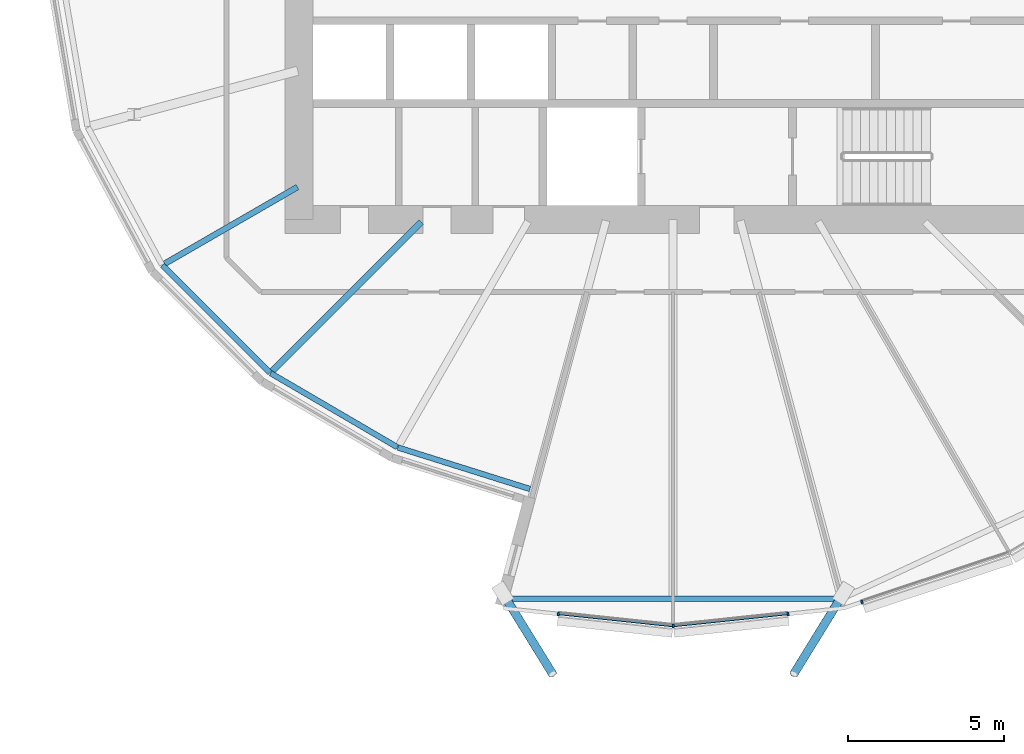
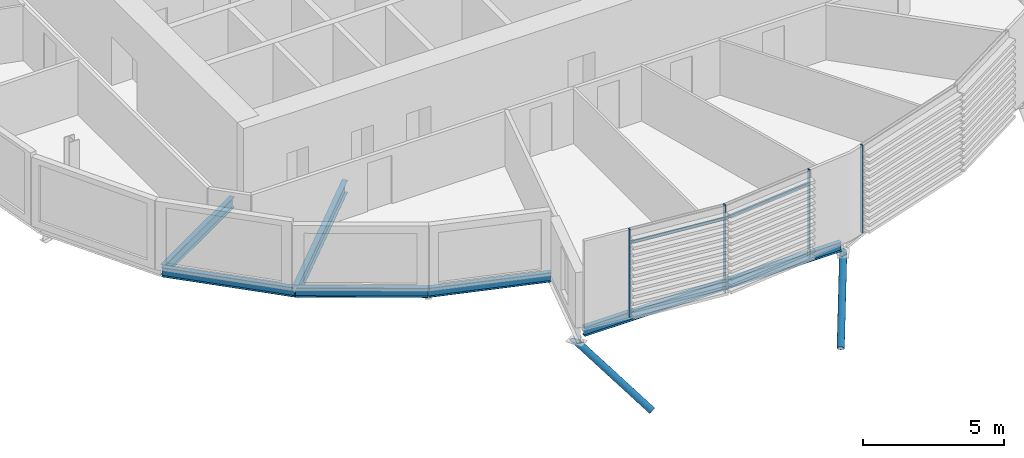
# One storey, part 3 of 38: 8 members, 6 beams, 1 element without a shape of its own.
"""IFC4 building model written with IfcOpenShell, lengths in metres."""

from ifc_helpers import new_model, si_unit, direction, frame, origin, origin_2d, place, context, subcontext, project, spatial, rectangle, hollow_circle, i_section, extrude, clip, halfspace, material, material_profile, profile_set, type_object, element, aggregate, save


model = new_model("IFC4")

# Units and contexts
model_context = context("Model", 3, precision=1e-05, world=origin(), true_north=direction((0.0, 1.0)))
body_context = subcontext(model_context, "Body", "Model", "MODEL_VIEW")
ifc_project = project(units=[si_unit("LENGTHUNIT", "METRE"), si_unit("AREAUNIT", "SQUARE_METRE"), si_unit("VOLUMEUNIT", "CUBIC_METRE"), si_unit("PLANEANGLEUNIT", "RADIAN"), si_unit("MASSUNIT", "GRAM", prefix="KILO")], contexts=[model_context])

# Site, building, storey
site_placement = place(None, origin())
site = spatial("IfcSite", under=ifc_project, at=site_placement, CompositionType="ELEMENT")
building_placement = place(site_placement, origin())
building = spatial("IfcBuilding", under=site, at=building_placement, Name="Rimbun Link Towers", CompositionType="ELEMENT")
storey_placement = place(building_placement, frame((0.0, 0.0, 71.800048828125)))
storey = spatial("IfcBuildingStorey", under=building, at=storey_placement, Name="L17", CompositionType="ELEMENT", Elevation=71.800048828125)

# Curtain wall, members
ifc_material_1 = material(Name="Aluminium 6063-T6 and low-iron glass", Category="aluminium")
curtain_wall_type = type_object("IfcCurtainWallType", Name="CW1 unitised vision wall", PredefinedType="NOTDEFINED", material=ifc_material_1)
curtain_wall_placement = place(storey_placement, origin())
curtain_wall = element("IfcCurtainWall", 1, at=curtain_wall_placement, inside=storey, type_object=curtain_wall_type, Name="CW1 L17 T1", PredefinedType="NOTDEFINED")
ifc_material_2 = material(Name="Aluminium 6063-T6", Category="aluminium")
ifc_material_profile_1 = material_profile(ifc_material_2, rectangle(XDim=0.1201171875, YDim=0.06005859375, at=origin_2d()), Name="MULLION 60X120")
ifc_profile_set_1 = profile_set([ifc_material_profile_1], Name="Aluminium 6063-T6")
member_type_1 = type_object("IfcMemberType", Name="CW1 mullion 60X120", PredefinedType="MULLION", material=ifc_profile_set_1)
member_1_placement = place(storey_placement, frame((-31.75, -21.037109375, 0.0), z_axis=(0.0, 0.0, 1.0), x_axis=(0.0, -1.0, 0.0)))
member_1 = element("IfcMember", 2, at=member_1_placement, type_object=member_type_1, Name="CW1 mullion", PredefinedType="MULLION", context=body_context, shape_type="SweptSolid", body=[
    extrude(rectangle(XDim=0.1201171875, YDim=0.06005859375, at=origin_2d()), origin(), (0.0, 0.0, 1.0), 3.800048828125),
])
member_2_placement = place(storey_placement, frame((-35.4326171875, -20.6494140625, 0.0), z_axis=(0.0, 0.0, 1.0), x_axis=(-0.104734976112, -0.994500168315, 0.0)))
member_2 = element("IfcMember", 3, at=member_2_placement, type_object=member_type_1, Name="CW1 mullion", PredefinedType="MULLION", context=body_context, shape_type="SweptSolid", body=[
    extrude(rectangle(XDim=0.1201171875, YDim=0.06005859375, at=origin_2d()), origin(), (0.0, 0.0, 1.0), 3.800048828125),
])
member_3_placement = place(storey_placement, frame((-28.0673828125, -20.6494140625, 0.0), z_axis=(0.0, 0.0, 1.0), x_axis=(0.104734976112, -0.994500168315, 0.0)))
member_3 = element("IfcMember", 4, at=member_3_placement, type_object=member_type_1, Name="CW1 mullion", PredefinedType="MULLION", context=body_context, shape_type="SweptSolid", body=[
    extrude(rectangle(XDim=0.1201171875, YDim=0.06005859375, at=origin_2d()), origin(), (0.0, 0.0, 1.0), 3.800048828125),
])
member_4_placement = place(storey_placement, frame((-25.695068359375, -20.26953125, 0.0), z_axis=(0.0, 0.0, 1.0), x_axis=(0.314555783293, -0.949238989505, 0.0)))
member_4 = element("IfcMember", 5, at=member_4_placement, type_object=member_type_1, Name="CW1 mullion", PredefinedType="MULLION", context=body_context, shape_type="SweptSolid", body=[
    extrude(rectangle(XDim=0.1201171875, YDim=0.06005859375, at=origin_2d()), origin(), (0.0, 0.0, 1.0), 3.800048828125),
])
ifc_material_3 = material(Name="Aluminium 6063-T6", Category="aluminium")
ifc_material_profile_2 = material_profile(ifc_material_3, rectangle(XDim=0.06005859375, YDim=0.1201171875, at=origin_2d()), Name="TRANSOM 60X120")
ifc_profile_set_2 = profile_set([ifc_material_profile_2], Name="Aluminium 6063-T6")
member_type_2 = type_object("IfcMemberType", Name="CW1 transom 60X120", PredefinedType="USERDEFINED", material=ifc_profile_set_2)
member_5_placement = place(storey_placement, frame((-31.785888671875, -21.031494140625, 3.199951171875), z_axis=(-0.994501037845, 0.104726719255, 0.0), x_axis=(-0.104726719255, -0.994501037845, 0.0)))
member_5 = element("IfcMember", 6, at=member_5_placement, type_object=member_type_2, Name="CW1 transom", ObjectType="TRANSOM", PredefinedType="USERDEFINED", context=body_context, shape_type="SweptSolid", body=[
    extrude(rectangle(XDim=0.06005859375, YDim=0.1201171875, at=origin_2d()), origin(), (0.0, 0.0, 1.0), 3.63671875),
])
member_6_placement = place(storey_placement, frame((-28.097412109375, -20.650634765625, 3.199951171875), z_axis=(-0.994501037845, -0.104726719255, 0.0), x_axis=(0.104726719255, -0.994501037845, 0.0)))
member_6 = element("IfcMember", 7, at=member_6_placement, type_object=member_type_2, Name="CW1 transom", ObjectType="TRANSOM", PredefinedType="USERDEFINED", context=body_context, shape_type="SweptSolid", body=[
    extrude(rectangle(XDim=0.06005859375, YDim=0.1201171875, at=origin_2d()), origin(), (0.0, 0.0, 1.0), 3.63671875),
])
aggregate(curtain_wall, [member_1, member_2, member_3, member_4, member_5, member_6])

# Members
ifc_material_4 = material(Name="Steel S355J2H", Category="steel")
ifc_material_profile_3 = material_profile(ifc_material_4, hollow_circle(Radius=0.136474609375, WallThickness=0.012451171875, at=origin_2d()), Name="CHS 273x12.5")
ifc_profile_set_3 = profile_set([ifc_material_profile_3], Name="Steel S355J2H")
member_type_3 = type_object("IfcMemberType", Name="Floor edge link CHS 273x12.5", PredefinedType="BRACE", material=ifc_profile_set_3)
for number, where, z_axis, x_axis, name in (
    (8, (-37.13818359375, -20.1083984375, -0.9580078125), (0.43974372191, -0.712947701458, -0.54619688211), (0.851121456128, 0.524968824711, 0.0), "Floor edge link T1 L17 17"),
    (9, (-26.36181640625, -20.1083984375, -0.9580078125), (-0.43974372191, -0.712947701458, -0.54619688211), (0.851121456128, -0.524968824711, 0.0), "Floor edge link T1 L17 19"),
):
    element("IfcMember", number, at=place(storey_placement, frame(where, z_axis=z_axis, x_axis=x_axis)), inside=storey, type_object=member_type_3, Name=name, PredefinedType="BRACE", context=body_context, shape_type="Clipping", body=[
        clip(extrude(hollow_circle(Radius=0.136474609375, WallThickness=0.012451171875, at=origin_2d()), frame((0.0, 0.0, -0.43701171875)), (0.0, 0.0, 1.0), 3.906982421875), halfspace(frame((0.0, 0.0, -0.205810546875), z_axis=(0.0, 0.837656830673, -0.54619688211)), False)),
    ])

# Beams
ifc_material_5 = material(Name="Steel S355J2", Category="steel")
ifc_material_profile_4 = material_profile(ifc_material_5, i_section(OverallWidth=0.177978515625, OverallDepth=0.406494140625, WebThickness=0.0078125, FlangeThickness=0.0126953125, at=origin_2d()), Name="UB 406x178x60")
ifc_profile_set_4 = profile_set([ifc_material_profile_4], Name="Steel S355J2")
beam_type_1 = type_object("IfcBeamType", Name="UB 406x178x60", PredefinedType="BEAM", material=ifc_profile_set_4)
beam_1_placement = place(storey_placement, frame((-48.127197265625, -9.470947265625, -0.36328125), z_axis=(0.708083429318, -0.706128782252, 0.0), x_axis=(0.706128782252, 0.708083429318, 0.0)))
element("IfcBeam", 10, at=beam_1_placement, inside=storey, type_object=beam_type_1, Name="Edge beam T1 L17 14 recess", PredefinedType="BEAM", context=body_context, shape_type="SweptSolid", body=[
    extrude(i_section(OverallWidth=0.177978515625, OverallDepth=0.406494140625, WebThickness=0.0078125, FlangeThickness=0.0126953125, at=origin_2d()), origin(), (0.0, 0.0, 1.0), 4.87109375),
])
beam_2_placement = place(storey_placement, frame((-44.65869140625, -12.925537109375, -0.36328125), z_axis=(0.86328357822, -0.504719192795, 0.0), x_axis=(0.504719192795, 0.86328357822, 0.0)))
element("IfcBeam", 11, at=beam_2_placement, inside=storey, type_object=beam_type_1, Name="Edge beam T1 L17 15 recess", PredefinedType="BEAM", context=body_context, shape_type="SweptSolid", body=[
    extrude(i_section(OverallWidth=0.177978515625, OverallDepth=0.406494140625, WebThickness=0.0078125, FlangeThickness=0.0126953125, at=origin_2d()), origin(), (0.0, 0.0, 1.0), 4.70556640625),
])
beam_3_placement = place(storey_placement, frame((-40.576416015625, -15.309326171875, -0.36328125), z_axis=(0.95394962569, -0.299966850912, 0.0), x_axis=(0.299966850912, 0.95394962569, 0.0)))
element("IfcBeam", 12, at=beam_3_placement, inside=storey, type_object=beam_type_1, Name="Edge beam T1 L17 16 recess", PredefinedType="BEAM", context=body_context, shape_type="SweptSolid", body=[
    extrude(i_section(OverallWidth=0.177978515625, OverallDepth=0.406494140625, WebThickness=0.0078125, FlangeThickness=0.0126953125, at=origin_2d()), origin(), (0.0, 0.0, 1.0), 4.435791015625),
])
beam_4_placement = place(storey_placement, frame((-37.018798828125, -20.15673828125, -0.36328125), z_axis=(1.0, 0.0, 0.0), x_axis=(0.0, 1.0, 0.0)))
element("IfcBeam", 13, at=beam_4_placement, inside=storey, type_object=beam_type_1, Name="Edge beam T1 L17 17-19", PredefinedType="BEAM", context=body_context, shape_type="SweptSolid", body=[
    extrude(i_section(OverallWidth=0.177978515625, OverallDepth=0.406494140625, WebThickness=0.0078125, FlangeThickness=0.0126953125, at=origin_2d()), origin(), (0.0, 0.0, 1.0), 10.53759765625),
])
ifc_material_6 = material(Name="Steel S355J2", Category="steel")
ifc_material_profile_5 = material_profile(ifc_material_6, i_section(OverallWidth=0.18994140625, OverallDepth=0.453369140625, WebThickness=0.008544921875, FlangeThickness=0.0126953125, at=origin_2d()), Name="UB 457x191x67")
ifc_profile_set_5 = profile_set([ifc_material_profile_5], Name="Steel S355J2")
beam_type_2 = type_object("IfcBeamType", Name="UB 457x191x67", PredefinedType="BEAM", material=ifc_profile_set_5)
beam_5_placement = place(storey_placement, frame((-43.79833984375, -6.9560546875, -0.38671875), z_axis=(-0.866020293397, -0.500008851346, 0.0), x_axis=(0.500008851346, -0.866020293397, 0.0)))
element("IfcBeam", 14, at=beam_5_placement, inside=storey, type_object=beam_type_2, Name="Radial beam T1 L17 14", PredefinedType="BEAM", context=body_context, shape_type="SweptSolid", body=[
    extrude(i_section(OverallWidth=0.18994140625, OverallDepth=0.453369140625, WebThickness=0.008544921875, FlangeThickness=0.0126953125, at=origin_2d()), origin(), (0.0, 0.0, 1.0), 4.91943359375),
])
ifc_material_7 = material(Name="Steel S355J2", Category="steel")
ifc_material_profile_6 = material_profile(ifc_material_7, i_section(OverallWidth=0.209228515625, OverallDepth=0.533203125, WebThickness=0.010009765625, FlangeThickness=0.015625, at=origin_2d()), Name="UB 533x210x92")
ifc_profile_set_6 = profile_set([ifc_material_profile_6], Name="Steel S355J2")
beam_type_3 = type_object("IfcBeamType", Name="UB 533x210x92", PredefinedType="BEAM", material=ifc_profile_set_6)
beam_6_placement = place(storey_placement, frame((-39.82470703125, -8.07470703125, -0.426513671875), z_axis=(-0.707106781187, -0.707106781187, 0.0), x_axis=(0.707106781187, -0.707106781187, 0.0)))
element("IfcBeam", 15, at=beam_6_placement, inside=storey, type_object=beam_type_3, Name="Radial beam T1 L17 15", PredefinedType="BEAM", context=body_context, shape_type="SweptSolid", body=[
    extrude(i_section(OverallWidth=0.209228515625, OverallDepth=0.533203125, WebThickness=0.010009765625, FlangeThickness=0.015625, at=origin_2d()), origin(), (0.0, 0.0, 1.0), 6.7607421875),
])

save(model, "model.ifc")
